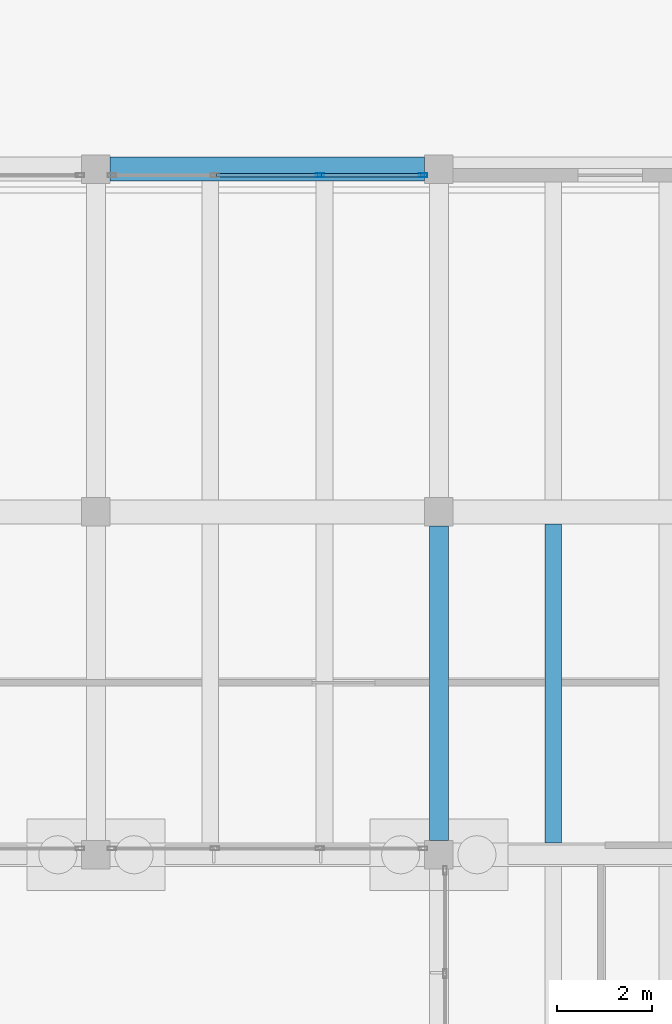
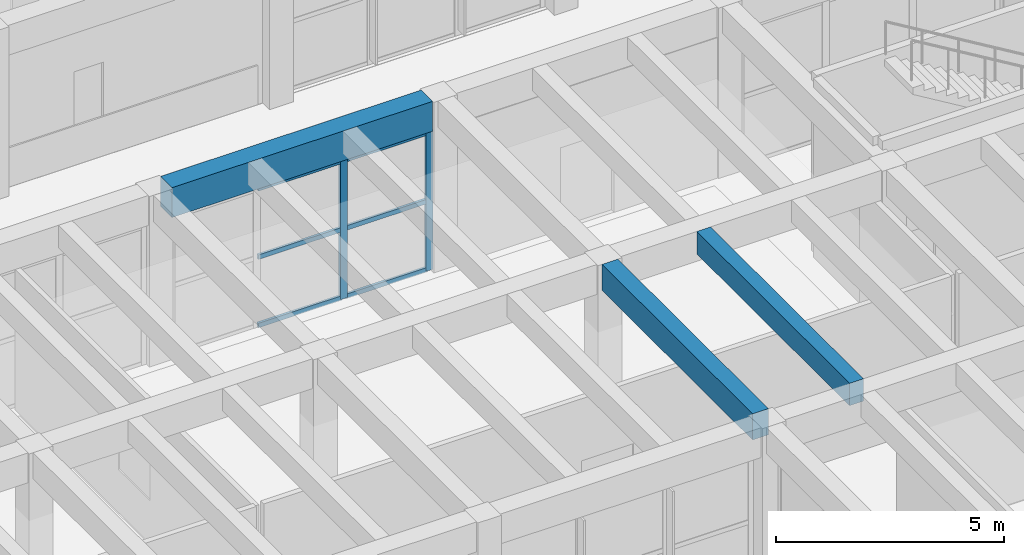
# One storey, part 87 of 155: 8 members, 3 beams, 1 element without a shape of its own.
"""IFC4 building model written with IfcOpenShell, lengths in metres."""

import ifcopenshell
import ifcopenshell.guid

model = None  # the IFC model being written
_history = None  # IfcOwnerHistory: only IFC2X3 demands one
_inside = {}  # id of a spatial element -> (the spatial element, [elements in it])
_under = {}  # id of a project, library or spatial element -> (it, [spatial elements below it])
_declared = {}  # id of a project -> (the project, [libraries it declares])
_typed = {}  # id of a type object -> (the type object, [elements of that type])
_made_of = {}  # id of a material, layer set ... -> (it, [elements and type objects made of it])


def new_model(schema):
    """Start an empty IFC model of exactly this schema.

    Asked for "IFC4X3", IfcOpenShell would pick the latest addendum, in which some entities
    have other attributes; the version numbers below select the first issue.
    IFC2X3 requires an IfcOwnerHistory on every rooted entity: one is made here for all.
    """
    global model, _history
    if schema == "IFC4X3":
        model = ifcopenshell.file(schema_version=(4, 3, 0, 0))
    else:
        model = ifcopenshell.file(schema=schema)
    _inside.clear()
    _under.clear()
    _declared.clear()
    _typed.clear()
    _made_of.clear()
    _history = None
    if model.schema == "IFC2X3":
        org = make("IfcOrganization", Name="unknown")
        user = make(
            "IfcPersonAndOrganization",
            ThePerson=make("IfcPerson", FamilyName="unknown"),
            TheOrganization=org,
        )
        app = make(
            "IfcApplication",
            ApplicationDeveloper=org,
            Version="unknown",
            ApplicationFullName="unknown",
            ApplicationIdentifier="unknown",
        )
        _history = make(
            "IfcOwnerHistory",
            OwningUser=user,
            OwningApplication=app,
            ChangeAction="ADDED",
            CreationDate=0,
        )
    return model


def make(cls, **values):
    """One entity of the class cls with the attributes given. An attribute that is None is left unset."""
    return model.create_entity(
        cls, **{name: value for name, value in values.items() if value is not None}
    )


def rooted(cls, **values):
    """An entity with a GlobalId (a new one), such as an element, a storey or a relation."""
    return make(cls, GlobalId=ifcopenshell.guid.new(), OwnerHistory=_history, **values)


def si_unit(unit_type, name, prefix=None):
    """IfcSIUnit, for example si_unit("LENGTHUNIT", "METRE", prefix="MILLI")."""
    return make("IfcSIUnit", UnitType=unit_type, Prefix=prefix, Name=name)


def assignment(units):
    """IfcUnitAssignment: the units of a project."""
    return None if units is None else make("IfcUnitAssignment", Units=units)


def point(xyz):
    """IfcCartesianPoint."""
    return None if xyz is None else make("IfcCartesianPoint", Coordinates=xyz)


def direction(xyz):
    """IfcDirection."""
    return None if xyz is None else make("IfcDirection", DirectionRatios=xyz)


def frame(location, z_axis=None, x_axis=None):
    """IfcAxis2Placement3D, a coordinate frame: its origin and axes. An axis left out is left unset."""
    return make(
        "IfcAxis2Placement3D",
        Location=point(location),
        Axis=direction(z_axis),
        RefDirection=direction(x_axis),
    )


def frame_2d(location, x_axis=None):
    """IfcAxis2Placement2D, a coordinate frame in the plane: its origin and x axis."""
    return make(
        "IfcAxis2Placement2D", Location=point(location), RefDirection=direction(x_axis)
    )


def origin():
    """The frame at (0, 0, 0) with its axes left unset."""
    return frame((0.0, 0.0, 0.0))


def origin_2d():
    """The frame at (0, 0) in the plane with its x axis left unset."""
    return frame_2d((0.0, 0.0))


def place(relative_to, where):
    """IfcLocalPlacement: puts the frame where relative to a parent placement (None: the world)."""
    return make(
        "IfcLocalPlacement", PlacementRelTo=relative_to, RelativePlacement=where
    )


def context(
    kind, dimensions, precision=None, world=None, true_north=None, identifier=None
):
    """IfcGeometricRepresentationContext, for example the 3D "Model" context."""
    return make(
        "IfcGeometricRepresentationContext",
        ContextIdentifier=identifier,
        ContextType=kind,
        CoordinateSpaceDimension=dimensions,
        Precision=precision,
        WorldCoordinateSystem=world,
        TrueNorth=true_north,
    )


def subcontext(parent, identifier, kind, view, scale=None):
    """IfcGeometricRepresentationSubContext, for example "Body" below "Model"."""
    return make(
        "IfcGeometricRepresentationSubContext",
        ContextIdentifier=identifier,
        ContextType=kind,
        ParentContext=parent,
        TargetScale=scale,
        TargetView=view,
    )


def project(units=None, contexts=None):
    """IfcProject with its units and contexts."""
    return rooted(
        "IfcProject",
        Name="project",
        RepresentationContexts=contexts,
        UnitsInContext=assignment(units),
    )


def spatial(cls, under=None, at=None, **own):
    """A site, building, storey or space (cls), placed at a placement, below another one or the project."""
    s = rooted(cls, ObjectPlacement=at, **own)
    if under is not None:
        _under.setdefault(under.id(), (under, []))[1].append(s)
    return s


def profile(cls, at=None, kind="AREA", **sizes):
    """A parametric profile (cls). Its sizes go by their IFC names, for example OverallWidth=200.0."""
    return make(cls, ProfileType=kind, Position=at, **sizes)


def rectangle(**sizes):
    """IfcRectangleProfileDef."""
    return profile("IfcRectangleProfileDef", **sizes)


def hollow_rectangle(**sizes):
    """IfcRectangleHollowProfileDef."""
    return profile("IfcRectangleHollowProfileDef", **sizes)


def extrude(swept, where, along, depth):
    """IfcExtrudedAreaSolid: the profile swept, set in the frame where, extruded along a direction by depth."""
    return make(
        "IfcExtrudedAreaSolid",
        SweptArea=swept,
        Position=where,
        ExtrudedDirection=direction(along),
        Depth=depth,
    )


def shape(context_of_items, identifier, shape_type, items):
    """IfcShapeRepresentation: the items that make up one representation, for example the "Body"."""
    return make(
        "IfcShapeRepresentation",
        ContextOfItems=context_of_items,
        RepresentationIdentifier=identifier,
        RepresentationType=shape_type,
        Items=items,
    )


def material(Name=None, Category=None):
    """IfcMaterial."""
    return make("IfcMaterial", Name=Name, Category=Category)


def material_profile(
    of_material, cross_section, Name=None, Category=None, Priority=None
):
    """IfcMaterialProfile: a cross section and its material."""
    return make(
        "IfcMaterialProfile",
        Name=Name,
        Material=of_material,
        Profile=cross_section,
        Priority=Priority,
        Category=Category,
    )


def profile_set(profiles, Name=None, composite=None):
    """IfcMaterialProfileSet."""
    return make(
        "IfcMaterialProfileSet",
        Name=Name,
        MaterialProfiles=profiles,
        CompositeProfile=composite,
    )


def made_of(thing, what):
    """Note that an element or type object is made of a material, layer set ...; save() writes the relation."""
    if what is not None:
        _made_of.setdefault(what.id(), (what, []))[1].append(thing)
    return thing


def type_object(cls, material=None, **own):
    """A type object (cls), such as IfcWallType, which elements share."""
    return made_of(rooted(cls, **own), material)


def element(
    cls,
    number,
    at=None,
    inside=None,
    cuts=None,
    type_object=None,
    material=None,
    context=None,
    identifier="Body",
    shape_type=None,
    held_by="IfcProductDefinitionShape",
    body=None,
    shapes=None,
    **own,
):
    """One element of the class cls, such as IfcWall. Its Tag is "e" and its number.

    at: its placement. inside: the storey or other place that contains it. cuts: it is an
    opening in that element (IfcRelVoidsElement). A single representation is given by context,
    identifier, shape_type and body (its items); several are given by shapes. held_by: the class
    of the entity that holds the representations. save() writes the other relations.
    """
    e = rooted(cls, Tag="e%d" % number, ObjectPlacement=at, **own)
    if body is not None:
        shapes = [shape(context, identifier, shape_type, body)]
    if shapes is not None:
        e.Representation = make(held_by, Representations=shapes)
    if inside is not None:
        _inside.setdefault(inside.id(), (inside, []))[1].append(e)
    if cuts is not None:
        rooted(
            "IfcRelVoidsElement", RelatingBuildingElement=cuts, RelatedOpeningElement=e
        )
    if type_object is not None:
        _typed.setdefault(type_object.id(), (type_object, []))[1].append(e)
    return made_of(e, material)


def aggregate(whole, parts):
    """IfcRelAggregates: a whole, such as a stair, and the parts it consists of."""
    return rooted("IfcRelAggregates", RelatingObject=whole, RelatedObjects=parts)


def save(model, path):
    """Write the relations noted so far, then the file.

    IfcRelAggregates (storeys below a building ...), IfcRelContainedInSpatialStructure (elements
    in a storey), IfcRelDefinesByType, IfcRelAssociatesMaterial and IfcRelDeclares: one each for
    every whole, place, type object, material and project.
    """
    for whole, parts in _under.values():
        aggregate(whole, parts)
    for where, things in _inside.values():
        rooted(
            "IfcRelContainedInSpatialStructure",
            RelatedElements=things,
            RelatingStructure=where,
        )
    for kind, things in _typed.values():
        rooted("IfcRelDefinesByType", RelatedObjects=things, RelatingType=kind)
    for what, things in _made_of.values():
        rooted("IfcRelAssociatesMaterial", RelatedObjects=things, RelatingMaterial=what)
    for by, libraries in _declared.values():
        rooted("IfcRelDeclares", RelatingContext=by, RelatedDefinitions=libraries)
    model.write(path)


model = new_model("IFC4")

# Units and contexts
model_context = context("Model", 3, precision=1e-05, world=origin(), true_north=direction((0.0, 1.0)))
body_context = subcontext(model_context, "Body", "Model", "MODEL_VIEW")
ifc_project = project(units=[si_unit("LENGTHUNIT", "METRE"), si_unit("AREAUNIT", "SQUARE_METRE"), si_unit("VOLUMEUNIT", "CUBIC_METRE"), si_unit("PLANEANGLEUNIT", "RADIAN"), si_unit("MASSUNIT", "GRAM", prefix="KILO")], contexts=[model_context])

# Site, building, storey
site_placement = place(None, origin())
site = spatial("IfcSite", under=ifc_project, at=site_placement, CompositionType="ELEMENT")
building_placement = place(site_placement, origin())
building = spatial("IfcBuilding", under=site, at=building_placement, Name="Bramvelor Terrace Health Centre", CompositionType="ELEMENT")
storey_placement = place(building_placement, origin())
storey = spatial("IfcBuildingStorey", under=building, at=storey_placement, Name="L01", CompositionType="ELEMENT", Elevation=0.0)

# Beams
ifc_material_1 = material(Name="Concrete C40/50", Category="concrete")
ifc_material_profile_1 = material_profile(ifc_material_1, rectangle(XDim=0.39990234375, YDim=0.699951171875, at=origin_2d()), Name="RC 400x700")
ifc_profile_set_1 = profile_set([ifc_material_profile_1], Name="Concrete C40/50")
beam_type_1 = type_object("IfcBeamType", Name="BM-RC-G700", PredefinedType="BEAM", material=ifc_profile_set_1)
beam_1_placement = place(storey_placement, frame((79.199951171875, 65.10009765625, 4.2099609375), z_axis=(0.0, 1.0, 0.0), x_axis=(-1.0, 0.0, 0.0)))
element("IfcBeam", 1, at=beam_1_placement, inside=storey, type_object=beam_type_1, Name="L01 Floor Girder", PredefinedType="BEAM", context=body_context, shape_type="SweptSolid", body=[
    extrude(rectangle(XDim=0.39990234375, YDim=0.699951171875, at=origin_2d()), origin(), (0.0, 0.0, 1.0), 6.599853515625),
])
ifc_material_2 = material(Name="Concrete C40/50", Category="concrete")
ifc_material_profile_2 = material_profile(ifc_material_2, rectangle(XDim=0.5, YDim=0.800048828125, at=origin_2d()), Name="RC 500x800")
ifc_profile_set_2 = profile_set([ifc_material_profile_2], Name="Concrete C40/50")
beam_type_2 = type_object("IfcBeamType", Name="BM-RC-G800", PredefinedType="BEAM", material=ifc_profile_set_2)
beam_2_placement = place(storey_placement, frame((72.300048828125, 79.199951171875, 4.159912109375), z_axis=(1.0, 0.0, 0.0), x_axis=(0.0, 1.0, 0.0)))
element("IfcBeam", 2, at=beam_2_placement, inside=storey, type_object=beam_type_2, Name="L01 Floor Girder", PredefinedType="BEAM", context=body_context, shape_type="SweptSolid", body=[
    extrude(rectangle(XDim=0.5, YDim=0.800048828125, at=origin_2d()), origin(), (0.0, 0.0, 1.0), 6.599853515625),
])
ifc_material_3 = material(Name="Concrete C40/50", Category="concrete")
ifc_material_profile_3 = material_profile(ifc_material_3, rectangle(XDim=0.35009765625, YDim=0.60009765625, at=origin_2d()), Name="RC 350x600")
ifc_profile_set_3 = profile_set([ifc_material_profile_3], Name="Concrete C40/50")
beam_type_3 = type_object("IfcBeamType", Name="BM-RC-J600", PredefinedType="JOIST", material=ifc_profile_set_3)
beam_3_placement = place(storey_placement, frame((81.60009765625, 65.050048828125, 4.260009765625), z_axis=(0.0, 1.0, 0.0), x_axis=(-1.0, 0.0, 0.0)))
element("IfcBeam", 3, at=beam_3_placement, inside=storey, type_object=beam_type_3, Name="L01 Secondary Floor Joist", PredefinedType="JOIST", context=body_context, shape_type="SweptSolid", body=[
    extrude(rectangle(XDim=0.35009765625, YDim=0.60009765625, at=origin_2d()), origin(), (0.0, 0.0, 1.0), 6.699951171875),
])

# Curtain wall, members
ifc_material_4 = material(Name="Anodized aluminium and double low-E glass", Category="aluminium")
curtain_wall_type = type_object("IfcCurtainWallType", Name="CW-SYS-02", PredefinedType="NOTDEFINED", material=ifc_material_4)
curtain_wall_placement = place(storey_placement, origin())
curtain_wall = element("IfcCurtainWall", 4, at=curtain_wall_placement, inside=storey, type_object=curtain_wall_type, Name="L01 Unitized Curtain Wall 32", PredefinedType="NOTDEFINED")
ifc_material_5 = material(Name="Anodized aluminium 6063-T6", Category="aluminium")
ifc_material_profile_4 = material_profile(ifc_material_5, hollow_rectangle(XDim=0.074951171875, YDim=0.179931640625, WallThickness=0.00341796875, at=origin_2d()), Name="ALU-MUL 75x180x3.5")
ifc_profile_set_4 = profile_set([ifc_material_profile_4], Name="Anodized aluminium 6063-T6")
member_type_1 = type_object("IfcMemberType", Name="CW-MUL-65x180", PredefinedType="MULLION", material=ifc_profile_set_4)
member_1_placement = place(storey_placement, frame((76.70166015625, 79.070068359375, 0.0), z_axis=(0.0, 0.0, 1.0), x_axis=(0.0, 1.0, 0.0)))
member_1 = element("IfcMember", 5, at=member_1_placement, type_object=member_type_1, Name="CW-02 mullion 3", PredefinedType="MULLION", context=body_context, shape_type="SweptSolid", body=[
    extrude(hollow_rectangle(XDim=0.074951171875, YDim=0.179931640625, WallThickness=0.00341796875, at=origin_2d()), origin(), (0.0, 0.0, 1.0), 3.719970703125),
])
member_2_placement = place(storey_placement, frame((78.867431640625, 79.070068359375, 0.0), z_axis=(0.0, 0.0, 1.0), x_axis=(0.0, 1.0, 0.0)))
member_2 = element("IfcMember", 6, at=member_2_placement, type_object=member_type_1, Name="CW-02 mullion 4", PredefinedType="MULLION", context=body_context, shape_type="SweptSolid", body=[
    extrude(hollow_rectangle(XDim=0.074951171875, YDim=0.179931640625, WallThickness=0.00341796875, at=origin_2d()), origin(), (0.0, 0.0, 1.0), 3.719970703125),
])
ifc_material_6 = material(Name="Anodized aluminium 6063-T6", Category="aluminium")
ifc_material_profile_5 = material_profile(ifc_material_6, hollow_rectangle(XDim=0.06494140625, YDim=0.1201171875, WallThickness=0.0029296875, at=origin_2d()), Name="ALU-TRN 65x120x3.0")
ifc_profile_set_5 = profile_set([ifc_material_profile_5], Name="Anodized aluminium 6063-T6")
member_type_2 = type_object("IfcMemberType", Name="CW-TRN-65x150", PredefinedType="USERDEFINED", material=ifc_profile_set_5)
member_3_placement = place(storey_placement, frame((74.535888671875, 79.070068359375, 0.032470703125), z_axis=(1.0, 0.0, 0.0), x_axis=(0.0, 1.0, 0.0)))
member_3 = element("IfcMember", 7, at=member_3_placement, type_object=member_type_2, Name="CW-02 transom 2.1", ObjectType="TRANSOM", PredefinedType="USERDEFINED", context=body_context, shape_type="SweptSolid", body=[
    extrude(hollow_rectangle(XDim=0.06494140625, YDim=0.1201171875, WallThickness=0.0029296875, at=origin_2d()), origin(), (0.0, 0.0, 1.0), 2.128173828125),
])
member_4_placement = place(storey_placement, frame((74.535888671875, 79.070068359375, 1.860107421875), z_axis=(1.0, 0.0, 0.0), x_axis=(0.0, 1.0, 0.0)))
member_4 = element("IfcMember", 8, at=member_4_placement, type_object=member_type_2, Name="CW-02 transom 2.2", ObjectType="TRANSOM", PredefinedType="USERDEFINED", context=body_context, shape_type="SweptSolid", body=[
    extrude(hollow_rectangle(XDim=0.06494140625, YDim=0.1201171875, WallThickness=0.0029296875, at=origin_2d()), origin(), (0.0, 0.0, 1.0), 2.128173828125),
])
member_5_placement = place(storey_placement, frame((74.535888671875, 79.070068359375, 3.6875), z_axis=(1.0, 0.0, 0.0), x_axis=(0.0, 1.0, 0.0)))
member_5 = element("IfcMember", 9, at=member_5_placement, type_object=member_type_2, Name="CW-02 transom 2.3", ObjectType="TRANSOM", PredefinedType="USERDEFINED", context=body_context, shape_type="SweptSolid", body=[
    extrude(hollow_rectangle(XDim=0.06494140625, YDim=0.1201171875, WallThickness=0.0029296875, at=origin_2d()), origin(), (0.0, 0.0, 1.0), 2.128173828125),
])
member_6_placement = place(storey_placement, frame((76.7392578125, 79.070068359375, 0.032470703125), z_axis=(1.0, 0.0, 0.0), x_axis=(0.0, 1.0, 0.0)))
member_6 = element("IfcMember", 10, at=member_6_placement, type_object=member_type_2, Name="CW-02 transom 3.1", ObjectType="TRANSOM", PredefinedType="USERDEFINED", context=body_context, shape_type="SweptSolid", body=[
    extrude(hollow_rectangle(XDim=0.06494140625, YDim=0.1201171875, WallThickness=0.0029296875, at=origin_2d()), origin(), (0.0, 0.0, 1.0), 2.0908203125),
])
member_7_placement = place(storey_placement, frame((76.7392578125, 79.070068359375, 1.860107421875), z_axis=(1.0, 0.0, 0.0), x_axis=(0.0, 1.0, 0.0)))
member_7 = element("IfcMember", 11, at=member_7_placement, type_object=member_type_2, Name="CW-02 transom 3.2", ObjectType="TRANSOM", PredefinedType="USERDEFINED", context=body_context, shape_type="SweptSolid", body=[
    extrude(hollow_rectangle(XDim=0.06494140625, YDim=0.1201171875, WallThickness=0.0029296875, at=origin_2d()), origin(), (0.0, 0.0, 1.0), 2.0908203125),
])
member_8_placement = place(storey_placement, frame((76.7392578125, 79.070068359375, 3.6875), z_axis=(1.0, 0.0, 0.0), x_axis=(0.0, 1.0, 0.0)))
member_8 = element("IfcMember", 12, at=member_8_placement, type_object=member_type_2, Name="CW-02 transom 3.3", ObjectType="TRANSOM", PredefinedType="USERDEFINED", context=body_context, shape_type="SweptSolid", body=[
    extrude(hollow_rectangle(XDim=0.06494140625, YDim=0.1201171875, WallThickness=0.0029296875, at=origin_2d()), origin(), (0.0, 0.0, 1.0), 2.0908203125),
])
aggregate(curtain_wall, [member_1, member_2, member_3, member_4, member_5, member_6, member_7, member_8])

save(model, "model.ifc")
